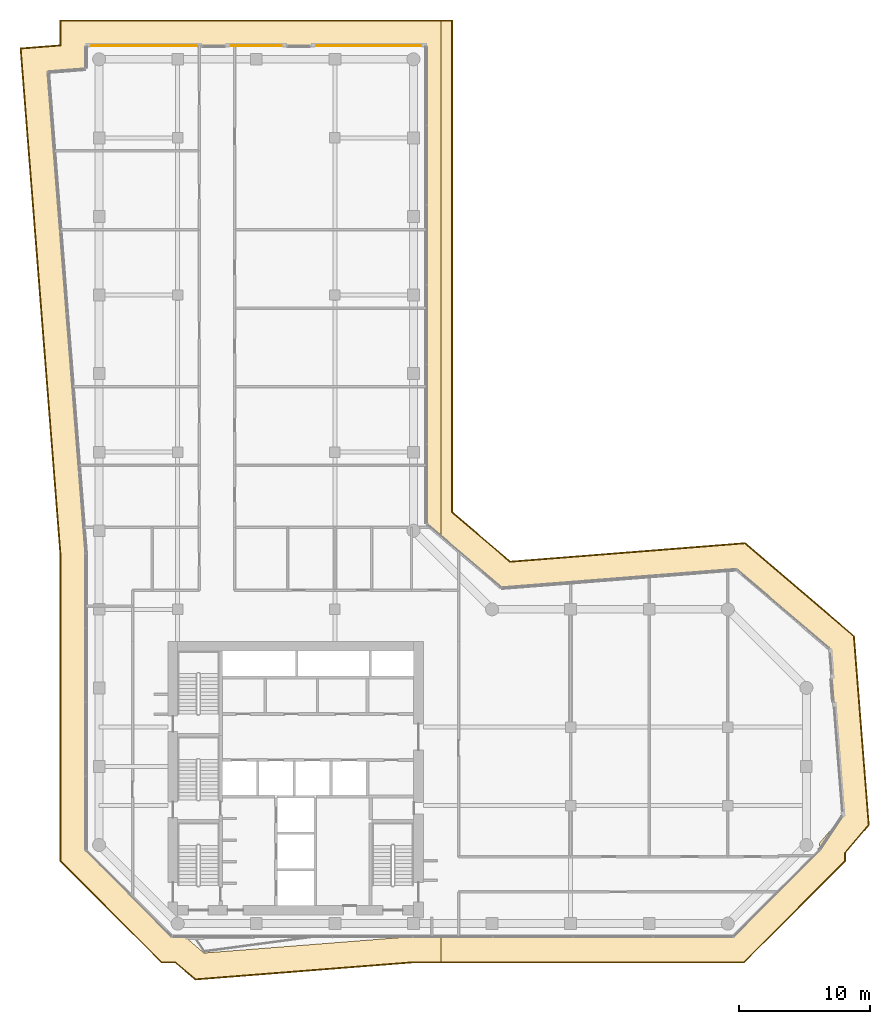
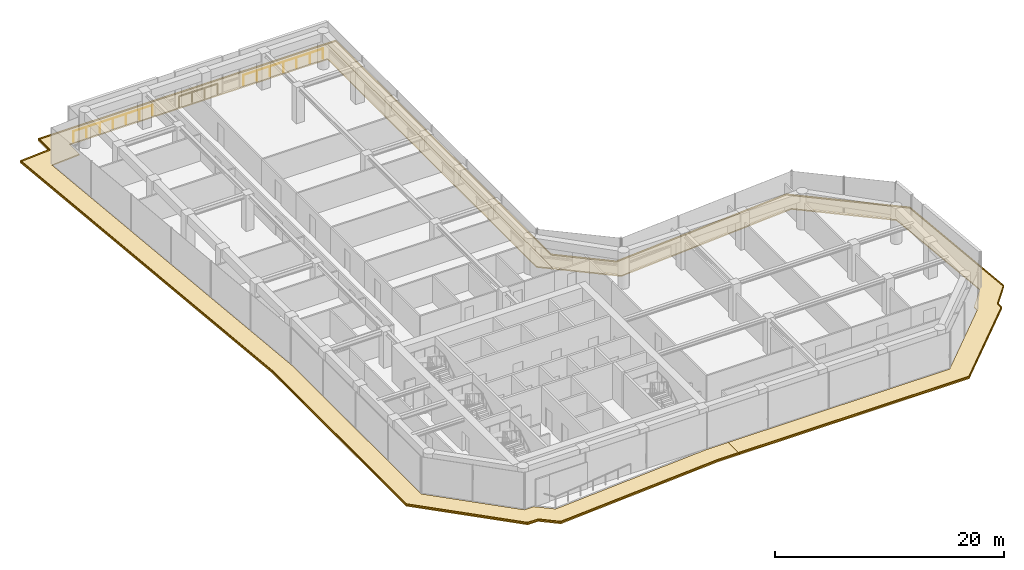
# One storey, part 25 of 25: 4 coverings, 3 railings.
"""IFC4 building model written with IfcOpenShell, lengths in metres."""

from ifc_helpers import new_model, si_unit, direction, frame, origin, origin_2d, place, context, subcontext, project, spatial, polyline, circle, outline, extrude, material, layer, layer_set, type_object, element, save


model = new_model("IFC4")

# Units and contexts
model_context = context("Model", 3, precision=1e-05, world=origin(), true_north=direction((0.0, 1.0)))
body_context = subcontext(model_context, "Body", "Model", "MODEL_VIEW")
ifc_project = project(units=[si_unit("LENGTHUNIT", "METRE"), si_unit("AREAUNIT", "SQUARE_METRE"), si_unit("VOLUMEUNIT", "CUBIC_METRE"), si_unit("PLANEANGLEUNIT", "RADIAN"), si_unit("MASSUNIT", "GRAM", prefix="KILO")], contexts=[model_context])

# Site, building, storey
site_placement = place(None, origin())
site = spatial("IfcSite", under=ifc_project, at=site_placement, CompositionType="ELEMENT")
building_placement = place(site_placement, origin())
building = spatial("IfcBuilding", under=site, at=building_placement, Name="Welwitschia Terrace Campus", CompositionType="ELEMENT")
storey_placement = place(building_placement, frame((0.0, 0.0, 92.0)))
storey = spatial("IfcBuildingStorey", under=building, at=storey_placement, Name="L20", CompositionType="ELEMENT", Elevation=92.0)

# Railings
ifc_material_1 = material(Name="Stainless steel grade 316", Category="steel")
railing_type = type_object("IfcRailingType", Name="Guard 1100", PredefinedType="GUARDRAIL", material=ifc_material_1)
railing_1_placement = place(storey_placement, frame((-0.580078125, 71.030029296875, 0.0)))
element("IfcRailing", 1, at=railing_1_placement, inside=storey, type_object=railing_type, Name="Guard floor edge L20.0", PredefinedType="GUARDRAIL", context=body_context, shape_type="SweptSolid", body=[
    extrude(circle(Radius=0.02392578125, at=origin_2d()), frame((0.0, 0.0, 1.076171875), z_axis=(1.0, 0.0, 0.0), x_axis=(0.0, 1.0, 0.0)), (0.0, 0.0, 1.0), 7.998779296875),
    extrude(circle(Radius=0.02099609375, at=origin_2d()), origin(), (0.0, 0.0, 1.0), 1.052001953125),
    extrude(circle(Radius=0.02099609375, at=origin_2d()), frame((1.3330078125, 0.0, 0.0)), (0.0, 0.0, 1.0), 1.052001953125),
    extrude(circle(Radius=0.02099609375, at=origin_2d()), frame((2.666259765625, 0.0, 0.0)), (0.0, 0.0, 1.0), 1.052001953125),
    extrude(circle(Radius=0.02099609375, at=origin_2d()), frame((3.99951171875, 0.0, 0.0)), (0.0, 0.0, 1.0), 1.052001953125),
    extrude(circle(Radius=0.02099609375, at=origin_2d()), frame((5.33251953125, 0.0, 0.0)), (0.0, 0.0, 1.0), 1.052001953125),
    extrude(circle(Radius=0.02099609375, at=origin_2d()), frame((6.66552734375, 0.0, 0.0)), (0.0, 0.0, 1.0), 1.052001953125),
    extrude(circle(Radius=0.02099609375, at=origin_2d()), frame((7.998779296875, 0.0, 0.0)), (0.0, 0.0, 1.0), 1.052001953125),
])
railing_2_placement = place(storey_placement, frame((10.066162109375, 71.030029296875, 0.0)))
element("IfcRailing", 2, at=railing_2_placement, inside=storey, type_object=railing_type, Name="Guard floor edge L20.2", PredefinedType="GUARDRAIL", context=body_context, shape_type="SweptSolid", body=[
    extrude(circle(Radius=0.02392578125, at=origin_2d()), frame((0.0, 0.0, 1.076171875), z_axis=(1.0, 0.0, 0.0), x_axis=(0.0, 1.0, 0.0)), (0.0, 0.0, 1.0), 3.86767578125),
    extrude(circle(Radius=0.02099609375, at=origin_2d()), origin(), (0.0, 0.0, 1.0), 1.052001953125),
    extrude(circle(Radius=0.02099609375, at=origin_2d()), frame((1.289306640625, 0.0, 0.0)), (0.0, 0.0, 1.0), 1.052001953125),
    extrude(circle(Radius=0.02099609375, at=origin_2d()), frame((2.578369140625, 0.0, 0.0)), (0.0, 0.0, 1.0), 1.052001953125),
    extrude(circle(Radius=0.02099609375, at=origin_2d()), frame((3.86767578125, 0.0, 0.0)), (0.0, 0.0, 1.0), 1.052001953125),
])
railing_3_placement = place(storey_placement, frame((16.581298828125, 71.030029296875, 0.0)))
element("IfcRailing", 3, at=railing_3_placement, inside=storey, type_object=railing_type, Name="Guard floor edge L20.3", PredefinedType="GUARDRAIL", context=body_context, shape_type="SweptSolid", body=[
    extrude(circle(Radius=0.02392578125, at=origin_2d()), frame((0.0, 0.0, 1.076171875), z_axis=(1.0, 0.0, 0.0), x_axis=(0.0, 1.0, 0.0)), (0.0, 0.0, 1.0), 7.998779296875),
    extrude(circle(Radius=0.02099609375, at=origin_2d()), origin(), (0.0, 0.0, 1.0), 1.052001953125),
    extrude(circle(Radius=0.02099609375, at=origin_2d()), frame((1.3330078125, 0.0, 0.0)), (0.0, 0.0, 1.0), 1.052001953125),
    extrude(circle(Radius=0.02099609375, at=origin_2d()), frame((2.666259765625, 0.0, 0.0)), (0.0, 0.0, 1.0), 1.052001953125),
    extrude(circle(Radius=0.02099609375, at=origin_2d()), frame((3.99951171875, 0.0, 0.0)), (0.0, 0.0, 1.0), 1.052001953125),
    extrude(circle(Radius=0.02099609375, at=origin_2d()), frame((5.33251953125, 0.0, 0.0)), (0.0, 0.0, 1.0), 1.052001953125),
    extrude(circle(Radius=0.02099609375, at=origin_2d()), frame((6.66552734375, 0.0, 0.0)), (0.0, 0.0, 1.0), 1.052001953125),
    extrude(circle(Radius=0.02099609375, at=origin_2d()), frame((7.998779296875, 0.0, 0.0)), (0.0, 0.0, 1.0), 1.052001953125),
])

# Coverings
ifc_material_2 = material(Name="Bronze anodised aluminium", Category="aluminium")
ifc_layer_1 = layer(ifc_material_2, 0.1201171875)
ifc_layer_set_1 = layer_set([ifc_layer_1], Name="Bronze anodised aluminium")
covering_type_1 = type_object("IfcCoveringType", Name="Sunshade band 2000", PredefinedType="USERDEFINED", material=ifc_layer_set_1)
covering_1_placement = place(storey_placement, frame((0.0, 0.0, -0.25)))
element("IfcCovering", 4, at=covering_1_placement, inside=storey, type_object=covering_type_1, Name="SUNSHADE L20.SW0", ObjectType="SUNSHADE", PredefinedType="USERDEFINED", context=body_context, shape_type="SweptSolid", body=[
    extrude(outline(polyline([(-3.0, 73.0), (26.105712890625, 73.0), (26.105712890625, 33.559326171875), (25.0, 34.503662109375), (25.0, 71.0), (-1.0, 71.0), (-1.0, 69.25341796875), (-3.894287109375, 69.025634765625), (-1.0, 32.25), (-1.0, 9.585693359375), (5.585693359375, 3.0), (6.545166015625, 3.0), (8.00634765625, 1.751953125), (23.86474609375, 3.0), (26.105712890625, 3.0), (26.105712890625, 1.0), (23.943359375, 1.0), (7.33740234375, -0.306884765625), (5.80712890625, 1.0), (4.75732421875, 1.0), (-3.0, 8.75732421875), (-3.0, 32.17138671875), (-6.045166015625, 70.862548828125), (-3.0, 71.102294921875), (-3.0, 73.0)])), origin(), (0.0, 0.0, 1.0), 0.1201171875),
])
covering_2_placement = place(storey_placement, frame((0.0, 0.0, -0.25)))
element("IfcCovering", 5, at=covering_2_placement, inside=storey, type_object=covering_type_1, Name="SUNSHADE L20.SE0", ObjectType="SUNSHADE", PredefinedType="USERDEFINED", context=body_context, shape_type="SweptSolid", body=[
    extrude(outline(polyline([(27.0, 73.0), (27.0, 35.42578125), (31.38720703125, 31.6787109375), (49.331787109375, 33.0908203125), (57.673828125, 25.966064453125), (58.810302734375, 11.525390625), (57.0, 9.40576171875), (57.0, 8.75732421875), (49.24267578125, 1.0), (26.105712890625, 1.0), (26.105712890625, 3.0), (48.414306640625, 3.0), (55.0, 9.585693359375), (55.0, 10.1435546875), (56.751708984375, 12.1943359375), (55.7451171875, 24.9833984375), (48.662841796875, 31.031982421875), (30.71826171875, 29.619873046875), (26.105712890625, 33.559326171875), (26.105712890625, 73.0), (27.0, 73.0)])), origin(), (0.0, 0.0, 1.0), 0.1201171875),
])
ifc_material_3 = material(Name="Bronze anodised aluminium", Category="aluminium")
ifc_layer_2 = layer(ifc_material_3, 0.06005859375)
ifc_layer_set_2 = layer_set([ifc_layer_2], Name="Bronze anodised aluminium")
covering_type_2 = type_object("IfcCoveringType", Name="Sunshade lip 60", PredefinedType="USERDEFINED", material=ifc_layer_set_2)
covering_3_placement = place(storey_placement, frame((0.0, 0.0, -0.1298828125)))
element("IfcCovering", 6, at=covering_3_placement, inside=storey, type_object=covering_type_2, Name="SUNSHADE LIP L20.SW0.0", ObjectType="SUNSHADE", PredefinedType="USERDEFINED", context=body_context, shape_type="SweptSolid", body=[
    extrude(outline(polyline([(26.105712890625, 73.0), (26.105712890625, 72.93994140625), (-2.93994140625, 72.93994140625), (-2.93994140625, 71.046630859375), (-5.98046875, 70.807373046875), (-2.93994140625, 32.173583984375), (-2.93994140625, 8.7822265625), (4.7822265625, 1.06005859375), (5.829345703125, 1.06005859375), (7.357421875, -0.2451171875), (23.94091796875, 1.06005859375), (26.105712890625, 1.06005859375), (26.105712890625, 1.0), (23.943359375, 1.0), (7.33740234375, -0.306884765625), (5.80712890625, 1.0), (4.75732421875, 1.0), (-3.0, 8.75732421875), (-3.0, 32.17138671875), (-6.045166015625, 70.862548828125), (-3.0, 71.102294921875), (-3.0, 73.0), (26.105712890625, 73.0)])), origin(), (0.0, 0.0, 1.0), 0.1298828125),
])
covering_4_placement = place(storey_placement, frame((0.0, 0.0, -0.1298828125)))
element("IfcCovering", 7, at=covering_4_placement, inside=storey, type_object=covering_type_2, Name="SUNSHADE LIP L20.SE0.0", ObjectType="SUNSHADE", PredefinedType="USERDEFINED", context=body_context, shape_type="SweptSolid", body=[
    extrude(outline(polyline([(27.0, 35.42578125), (31.38720703125, 31.6787109375), (49.331787109375, 33.0908203125), (57.673828125, 25.966064453125), (58.810302734375, 11.525390625), (57.0, 9.40576171875), (57.0, 8.75732421875), (49.24267578125, 1.0), (26.105712890625, 1.0), (26.105712890625, 1.06005859375), (49.2177734375, 1.06005859375), (56.93994140625, 8.7822265625), (56.93994140625, 9.427978515625), (58.74853515625, 11.54541015625), (57.615966796875, 25.9365234375), (49.311767578125, 33.029052734375), (31.3671875, 31.616943359375), (26.93994140625, 35.398193359375), (26.93994140625, 72.93994140625), (26.105712890625, 72.93994140625), (26.105712890625, 73.0), (27.0, 73.0), (27.0, 35.42578125)])), origin(), (0.0, 0.0, 1.0), 0.1298828125),
])

save(model, "model.ifc")
